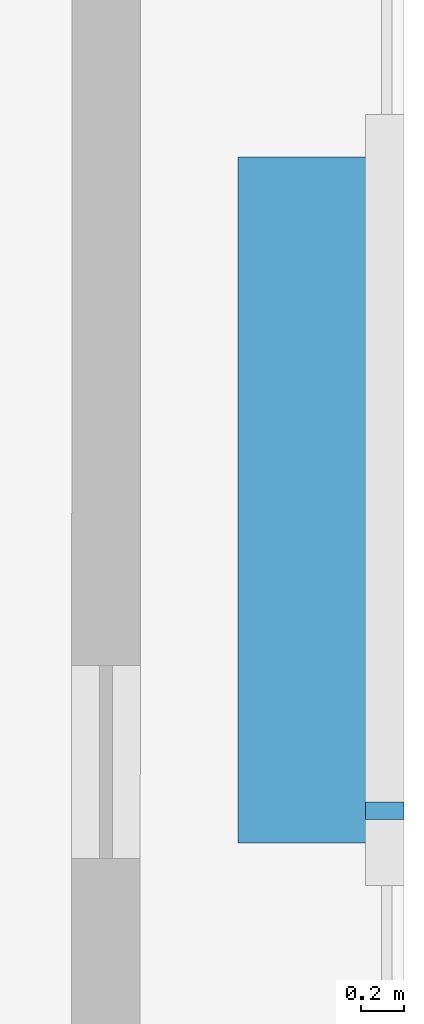
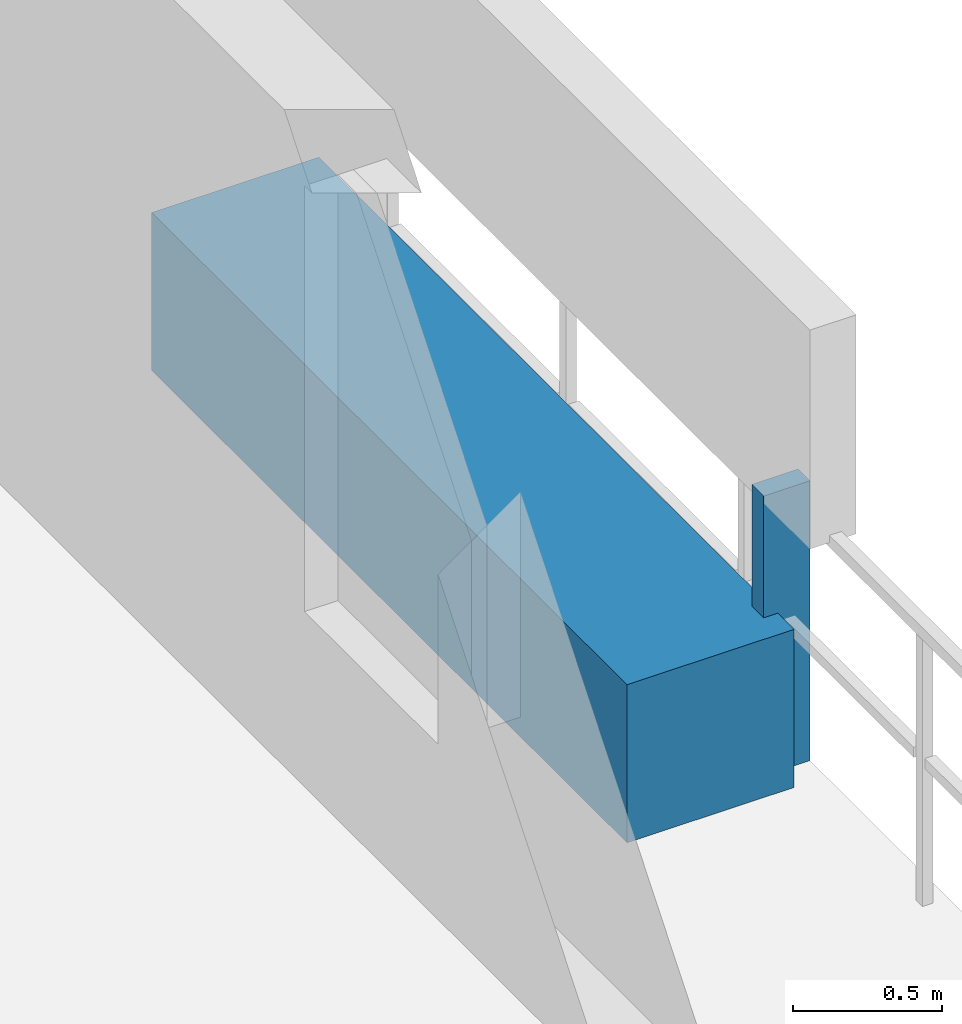
# One storey, part 27 of 31: 2 discrete accessories.
"""IFC4 building model written with IfcOpenShell, lengths in metres."""

from ifc_helpers import new_model, si_unit, direction, frame, origin, origin_2d, place, context, subcontext, project, spatial, rectangle, extrude, material, type_object, element, save


model = new_model("IFC4")

# Units and contexts
model_context = context("Model", 3, precision=1e-05, world=origin(), true_north=direction((0.0, 1.0)))
body_context = subcontext(model_context, "Body", "Model", "MODEL_VIEW")
ifc_project = project(units=[si_unit("LENGTHUNIT", "METRE"), si_unit("AREAUNIT", "SQUARE_METRE"), si_unit("VOLUMEUNIT", "CUBIC_METRE"), si_unit("PLANEANGLEUNIT", "RADIAN"), si_unit("MASSUNIT", "GRAM", prefix="KILO")], contexts=[model_context])

# Site, building, storey
site_placement = place(None, origin())
site = spatial("IfcSite", under=ifc_project, at=site_placement, CompositionType="ELEMENT")
building_placement = place(site_placement, origin())
building = spatial("IfcBuilding", under=site, at=building_placement, Name="Thornwick Lancets Civic Towers", CompositionType="ELEMENT")
storey_placement = place(building_placement, frame((0.0, 0.0, 233.10009765625)))
storey = spatial("IfcBuildingStorey", under=building, at=storey_placement, Name="L62", CompositionType="ELEMENT", Elevation=233.10009765625)

# Discrete accessories
ifc_material_1 = material(Name="Planted terracotta greenery planter", Category="masonry")
discrete_accessory_type_1 = type_object("IfcDiscreteAccessoryType", Name="ACC_PLANTER_BOX", PredefinedType="USERDEFINED", material=ifc_material_1)
discrete_accessory_1_placement = place(storey_placement, frame((113.199951171875, 27.0, 0.0), z_axis=(0.0, 0.0, 1.0), x_axis=(1.0, 0.0, 0.0)))
element("IfcDiscreteAccessory", 1, at=discrete_accessory_1_placement, inside=storey, type_object=discrete_accessory_type_1, Name="L62 Tower B Balcony Greenery Planter E", ObjectType="PLANTER", PredefinedType="USERDEFINED", context=body_context, shape_type="SweptSolid", body=[
    extrude(rectangle(XDim=0.64990234375, YDim=3.199951171875, at=origin_2d()), origin(), (0.0, 0.0, 1.0), 0.64990234375),
])
ifc_material_2 = material(Name="Stainless steel S355", Category="steel")
discrete_accessory_type_2 = type_object("IfcDiscreteAccessoryType", Name="ACC_SCREEN_BRACKET", PredefinedType="BRACKET", material=ifc_material_2)
discrete_accessory_2_placement = place(storey_placement, frame((113.56005859375, 25.550048828125, 0.0), z_axis=(0.0, 0.0, 1.0), x_axis=(0.0, 1.0, 0.0)))
element("IfcDiscreteAccessory", 2, at=discrete_accessory_2_placement, inside=storey, type_object=discrete_accessory_type_2, Name="L62 Tower B Balcony Screen Stanchion Bracket E-1", PredefinedType="BRACKET", context=body_context, shape_type="SweptSolid", body=[
    extrude(rectangle(XDim=0.080078125, YDim=0.179931640625, at=origin_2d()), origin(), (0.0, 0.0, 1.0), 1.14990234375),
])

save(model, "model.ifc")
